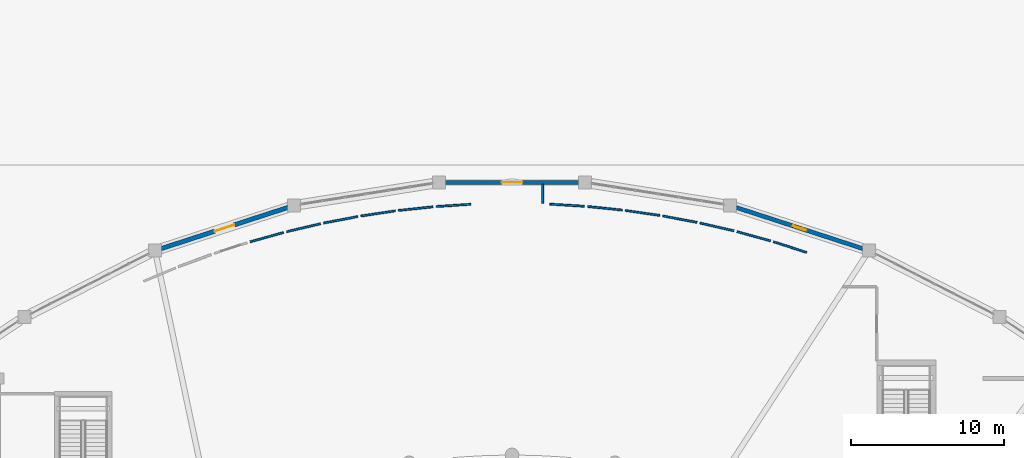
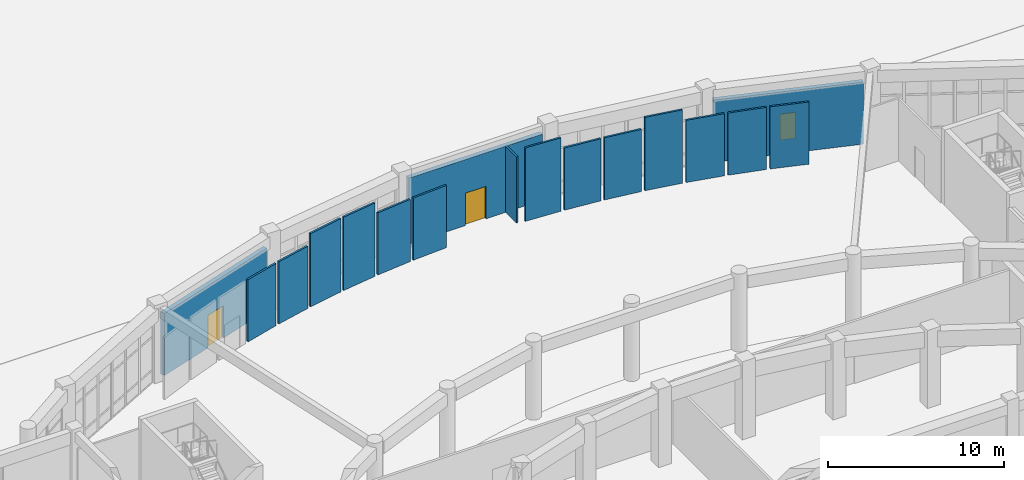
# One storey, part 52 of 70: 17 walls, 2 doors, 1 window, 3 openings.
"""IFC4 building model written with IfcOpenShell, lengths in metres."""

from ifc_helpers import new_model, si_unit, direction, frame, frame_2d, origin, place, context, subcontext, project, spatial, rectangle, extrude, material, layer, layer_set, type_object, element, fill, save


model = new_model("IFC4")

# Units and contexts
model_context = context("Model", 3, precision=1e-05, world=origin(), true_north=direction((0.0, 1.0)))
body_context = subcontext(model_context, "Body", "Model", "MODEL_VIEW")
ifc_project = project(units=[si_unit("LENGTHUNIT", "METRE"), si_unit("AREAUNIT", "SQUARE_METRE"), si_unit("VOLUMEUNIT", "CUBIC_METRE"), si_unit("PLANEANGLEUNIT", "RADIAN"), si_unit("MASSUNIT", "GRAM", prefix="KILO")], contexts=[model_context])

# Site, building, storey
site_placement = place(None, origin())
site = spatial("IfcSite", under=ifc_project, at=site_placement, CompositionType="ELEMENT")
building_placement = place(site_placement, origin())
building = spatial("IfcBuilding", under=site, at=building_placement, Name="Miralva Faculty of Natural Sciences", CompositionType="ELEMENT")
storey_placement = place(building_placement, origin())
storey = spatial("IfcBuildingStorey", under=building, at=storey_placement, Name="L00", CompositionType="ELEMENT", Elevation=0.0)

# Walls
ifc_material_1 = material(Name="Gypsum plasterboard")
ifc_layer_1 = layer(ifc_material_1, 0.125, Name="WL-PT05")
ifc_layer_set_1 = layer_set([ifc_layer_1], Name="Gypsum plasterboard")
wall_type_1 = type_object("IfcWallType", Name="WL-PT05", PredefinedType="PARTITIONING", material=ifc_layer_set_1)
for number, where, z_axis, x_axis, name in (
    (1, (72.8857421875, 35.931884765625, 0.0), (0.0, 0.0, 1.0), (0.962961782051, 0.269637917046, 0.0), "Interior partition PT-05 L00-96"),
    (2, (75.273681640625, 36.595947265625, 0.0), (0.0, 0.0, 1.0), (0.973395972519, 0.22912939725, 0.0), "Interior partition PT-05 L00-97"),
):
    element("IfcWall", number, at=place(storey_placement, frame(where, z_axis=z_axis, x_axis=x_axis)), inside=storey, type_object=wall_type_1, Name=name, PredefinedType="PARTITIONING", context=body_context, shape_type="SweptSolid", body=[
        extrude(rectangle(XDim=2.266357421875, YDim=0.125, at=frame_2d((1.13330078125, 0.0))), origin(), (0.0, 0.0, 1.0), 4.304931640625),
    ])
for number, where, z_axis, x_axis, name in (
    (3, (77.6875, 37.15966796875, 0.0), (0.0, 0.0, 1.0), (0.982087808033, 0.188423823634, 0.0), "Interior partition PT-05 L00-98"),
    (4, (80.122314453125, 37.622314453125, 0.0), (0.0, 0.0, 1.0), (0.989080490429, 0.147376332742, 0.0), "Interior partition PT-05 L00-99"),
):
    element("IfcWall", number, at=place(storey_placement, frame(where, z_axis=z_axis, x_axis=x_axis)), inside=storey, type_object=wall_type_1, Name=name, PredefinedType="PARTITIONING", context=body_context, shape_type="SweptSolid", body=[
        extrude(rectangle(XDim=2.26611328125, YDim=0.125, at=frame_2d((1.133056640625, 0.0))), origin(), (0.0, 0.0, 1.0), 5.080078125),
    ])
wall_1_placement = place(storey_placement, frame((82.57421875, 37.983154296875, 0.0), z_axis=(0.0, 0.0, 1.0), x_axis=(0.994366469197, 0.105996815696, 0.0)))
element("IfcWall", 5, at=wall_1_placement, inside=storey, type_object=wall_type_1, Name="Interior partition PT-05 L00-100", PredefinedType="PARTITIONING", context=body_context, shape_type="SweptSolid", body=[
    extrude(rectangle(XDim=2.266357421875, YDim=0.125, at=frame_2d((1.13330078125, 0.0))), origin(), (0.0, 0.0, 1.0), 4.304931640625),
])
wall_2_placement = place(storey_placement, frame((85.039306640625, 38.2412109375, 0.0), z_axis=(0.0, 0.0, 1.0), x_axis=(0.997915696942, 0.064531091706, 0.0)))
element("IfcWall", 6, at=wall_2_placement, inside=storey, type_object=wall_type_1, Name="Interior partition PT-05 L00-101", PredefinedType="PARTITIONING", context=body_context, shape_type="SweptSolid", body=[
    extrude(rectangle(XDim=2.26611328125, YDim=0.125, at=frame_2d((1.133056640625, 0.0))), origin(), (0.0, 0.0, 1.0), 4.304931640625),
])
wall_3_placement = place(storey_placement, frame((92.46875, 38.3974609375, 0.0), z_axis=(0.0, 0.0, 1.0), x_axis=(0.998159220571, -0.060647921561, 0.0)))
element("IfcWall", 7, at=wall_3_placement, inside=storey, type_object=wall_type_1, Name="Interior partition PT-05 L00-102", PredefinedType="PARTITIONING", context=body_context, shape_type="SweptSolid", body=[
    extrude(rectangle(XDim=2.266357421875, YDim=0.125, at=frame_2d((1.13330078125, 0.0))), origin(), (0.0, 0.0, 1.0), 5.080078125),
])
wall_4_placement = place(storey_placement, frame((94.942138671875, 38.242919921875, 0.0), z_axis=(0.0, 0.0, 1.0), x_axis=(0.994772464136, -0.102116328749, 0.0)))
element("IfcWall", 8, at=wall_4_placement, inside=storey, type_object=wall_type_1, Name="Interior partition PT-05 L00-103", PredefinedType="PARTITIONING", context=body_context, shape_type="SweptSolid", body=[
    extrude(rectangle(XDim=2.2666015625, YDim=0.125, at=frame_2d((1.13330078125, 0.0))), origin(), (0.0, 0.0, 1.0), 4.304931640625),
])
wall_5_placement = place(storey_placement, frame((97.40771484375, 37.9853515625, 0.0), z_axis=(0.0, 0.0, 1.0), x_axis=(0.989649958014, -0.14350247595, 0.0)))
element("IfcWall", 9, at=wall_5_placement, inside=storey, type_object=wall_type_1, Name="Interior partition PT-05 L00-104", PredefinedType="PARTITIONING", context=body_context, shape_type="SweptSolid", body=[
    extrude(rectangle(XDim=2.26611328125, YDim=0.125, at=frame_2d((1.133056640625, 0.0))), origin(), (0.0, 0.0, 1.0), 4.304931640625),
])
wall_6_placement = place(storey_placement, frame((99.859619140625, 37.62548828125, 0.0), z_axis=(0.0, 0.0, 1.0), x_axis=(0.982805045735, -0.184646262018, 0.0)))
element("IfcWall", 10, at=wall_6_placement, inside=storey, type_object=wall_type_1, Name="Interior partition PT-05 L00-105", PredefinedType="PARTITIONING", context=body_context, shape_type="SweptSolid", body=[
    extrude(rectangle(XDim=2.266357421875, YDim=0.125, at=frame_2d((1.13330078125, 0.0))), origin(), (0.0, 0.0, 1.0), 5.080078125),
])
wall_7_placement = place(storey_placement, frame((102.294921875, 37.163330078125, 0.0), z_axis=(0.0, 0.0, 1.0), x_axis=(0.974269394544, -0.225386660775, 0.0)))
element("IfcWall", 11, at=wall_7_placement, inside=storey, type_object=wall_type_1, Name="Interior partition PT-05 L00-106", PredefinedType="PARTITIONING", context=body_context, shape_type="SweptSolid", body=[
    extrude(rectangle(XDim=2.26611328125, YDim=0.125, at=frame_2d((1.133056640625, 0.0))), origin(), (0.0, 0.0, 1.0), 4.304931640625),
])
for number, where, z_axis, x_axis, name in (
    (12, (104.708251953125, 36.600341796875, 0.0), (0.0, 0.0, 1.0), (0.96403926476, -0.265759846481, 0.0), "Interior partition PT-05 L00-107"),
    (13, (107.0966796875, 35.937255859375, 0.0), (0.0, 0.0, 1.0), (0.952084587877, -0.305834820659, 0.0), "Interior partition PT-05 L00-108"),
):
    element("IfcWall", number, at=place(storey_placement, frame(where, z_axis=z_axis, x_axis=x_axis)), inside=storey, type_object=wall_type_1, Name=name, PredefinedType="PARTITIONING", context=body_context, shape_type="SweptSolid", body=[
        extrude(rectangle(XDim=2.266357421875, YDim=0.125, at=frame_2d((1.13330078125, 0.0))), origin(), (0.0, 0.0, 1.0), 4.304931640625),
    ])
wall_8_placement = place(storey_placement, frame((92.0, 38.440673828125, 0.0), z_axis=(0.0, 0.0, 1.0), x_axis=(0.0, 1.0, 0.0)))
element("IfcWall", 14, at=wall_8_placement, inside=storey, type_object=wall_type_1, Name="Interior partition PT-05 L00-114", PredefinedType="PARTITIONING", context=body_context, shape_type="SweptSolid", body=[
    extrude(rectangle(XDim=1.270263671875, YDim=0.125, at=frame_2d((0.63525390625, 0.0))), origin(), (0.0, 0.0, 1.0), 4.574951171875),
])

# Wall, opening, door
ifc_material_2 = material(Name="Precast concrete C40/50", Category="concrete")
ifc_layer_2 = layer(ifc_material_2, 0.2900390625, Name="WL-WT03")
ifc_layer_set_2 = layer_set([ifc_layer_2], Name="Precast concrete C40/50")
wall_type_2 = type_object("IfcWallType", Name="WL-WT03", PredefinedType="SOLIDWALL", material=ifc_layer_set_2)
wall_9_placement = place(storey_placement, frame((67.070068359375, 35.4912109375, 0.0), z_axis=(0.0, 0.0, 1.0), x_axis=(0.951060249583, 0.30900550426, 0.0)))
wall_9 = element("IfcWall", 15, at=wall_9_placement, inside=storey, type_object=wall_type_2, Name="Exterior wall L00-17", PredefinedType="SOLIDWALL", context=body_context, shape_type="SweptSolid", body=[
    extrude(rectangle(XDim=8.701904296875, YDim=0.2900390625, at=frame_2d((4.35107421875, 0.0))), origin(), (0.0, 0.0, 1.0), 4.304931640625),
])
opening_1_placement = place(wall_9_placement, frame((3.676025390625, 0.0, 0.0)))
opening_1 = element("IfcOpeningElement", 16, at=opening_1_placement, cuts=wall_9, Name="Opening D-06", PredefinedType="OPENING", context=body_context, shape_type="SweptSolid", body=[
    extrude(rectangle(XDim=1.35009765625, YDim=2.25, at=frame_2d((0.675048828125, 1.125))), frame((0.0, 0.155029296875, 0.0), z_axis=(0.0, -1.0, 0.0), x_axis=(1.0, 0.0, 0.0)), (0.0, 0.0, 1.0), 0.31005859375),
])
ifc_material_3 = material(Name="Anodised aluminium", Category="aluminium")
door_type = type_object("IfcDoorType", Name="DR-DE06", OperationType="NOTDEFINED", PredefinedType="DOOR", material=ifc_material_3)
door_1_placement = place(opening_1_placement, origin())
door_1 = element("IfcDoor", 17, at=door_1_placement, inside=storey, type_object=door_type, Name="Exterior pedestrian exit door D-06 L00-1", OperationType="SINGLE_SWING_RIGHT", OverallHeight=2.25, OverallWidth=1.35009765625, PredefinedType="DOOR", context=body_context, shape_type="SweptSolid", body=[
    extrude(rectangle(XDim=1.35009765625, YDim=2.25, at=frame_2d((0.675048828125, 1.125))), frame((0.0, 0.02490234375, 0.0), z_axis=(0.0, -1.0, 0.0), x_axis=(1.0, 0.0, 0.0)), (0.0, 0.0, 1.0), 0.050048828125),
])
fill(opening_1, door_1)

wall_10_placement = place(storey_placement, frame((85.62890625, 39.81201171875, 0.0), z_axis=(0.0, 0.0, 1.0), x_axis=(1.0, 0.0, 0.0)))
wall_10 = element("IfcWall", 18, at=wall_10_placement, inside=storey, type_object=wall_type_2, Name="Exterior wall L00-18", PredefinedType="SOLIDWALL", context=body_context, shape_type="SweptSolid", body=[
    extrude(rectangle(XDim=8.7421875, YDim=0.2900390625, at=frame_2d((4.37109375, 0.0))), origin(), (0.0, 0.0, 1.0), 4.574951171875),
])
opening_2_placement = place(wall_10_placement, frame((3.696044921875, 0.0, 0.0)))
opening_2 = element("IfcOpeningElement", 19, at=opening_2_placement, cuts=wall_10, Name="Opening D-06", PredefinedType="OPENING", context=body_context, shape_type="SweptSolid", body=[
    extrude(rectangle(XDim=1.35009765625, YDim=2.25, at=frame_2d((0.675048828125, 1.125))), frame((0.0, 0.155029296875, 0.0), z_axis=(0.0, -1.0, 0.0), x_axis=(1.0, 0.0, 0.0)), (0.0, 0.0, 1.0), 0.31005859375),
])
door_2_placement = place(opening_2_placement, origin())
door_2 = element("IfcDoor", 20, at=door_2_placement, inside=storey, type_object=door_type, Name="Exterior pedestrian exit door D-06 L00-2", OperationType="SINGLE_SWING_LEFT", OverallHeight=2.25, OverallWidth=1.35009765625, PredefinedType="DOOR", context=body_context, shape_type="SweptSolid", body=[
    extrude(rectangle(XDim=1.35009765625, YDim=2.25, at=frame_2d((0.675048828125, 1.125))), frame((0.0, 0.02490234375, 0.0), z_axis=(0.0, -1.0, 0.0), x_axis=(1.0, 0.0, 0.0)), (0.0, 0.0, 1.0), 0.050048828125),
])
fill(opening_2, door_2)

# Wall, opening, window
ifc_material_4 = material(Name="Volcanic tuff architectural stone", Category="masonry")
ifc_layer_3 = layer(ifc_material_4, 0.27001953125, Name="WL-WT04")
ifc_layer_set_3 = layer_set([ifc_layer_3], Name="Volcanic tuff architectural stone")
wall_type_3 = type_object("IfcWallType", Name="WL-WT04", PredefinedType="SOLIDWALL", material=ifc_layer_set_3)
wall_11_placement = place(storey_placement, frame((104.65380859375, 38.18017578125, 0.0), z_axis=(0.0, 0.0, 1.0), x_axis=(0.951060249583, -0.30900550426, 0.0)))
wall_11 = element("IfcWall", 21, at=wall_11_placement, inside=storey, type_object=wall_type_3, Name="Exterior wall L00-19", PredefinedType="SOLIDWALL", context=body_context, shape_type="SweptSolid", body=[
    extrude(rectangle(XDim=8.701904296875, YDim=0.27001953125, at=frame_2d((4.35107421875, 0.0))), origin(), (0.0, 0.0, 1.0), 4.304931640625),
])
opening_3_placement = place(wall_11_placement, frame((3.90087890625, 0.0, 0.89990234375)))
opening_3 = element("IfcOpeningElement", 22, at=opening_3_placement, cuts=wall_11, Name="Opening W-01", PredefinedType="OPENING", context=body_context, shape_type="SweptSolid", body=[
    extrude(rectangle(XDim=0.89990234375, YDim=1.800048828125, at=frame_2d((0.449951171875, 0.89990234375))), frame((0.0, 0.14501953125, 0.0), z_axis=(0.0, -1.0, 0.0), x_axis=(1.0, 0.0, 0.0)), (0.0, 0.0, 1.0), 0.2900390625),
])
ifc_material_5 = material(Name="Laminated solar-control glass", Category="glass")
window_type = type_object("IfcWindowType", Name="WN-W01", PartitioningType="SINGLE_PANEL", PredefinedType="WINDOW", material=ifc_material_5)
window_placement = place(opening_3_placement, origin())
window = element("IfcWindow", 23, at=window_placement, inside=storey, type_object=window_type, Name="Window W-01 L00-1", OverallHeight=1.800048828125, OverallWidth=0.89990234375, PartitioningType="SINGLE_PANEL", PredefinedType="WINDOW", context=body_context, shape_type="SweptSolid", body=[
    extrude(rectangle(XDim=0.89990234375, YDim=1.800048828125, at=frame_2d((0.449951171875, 0.89990234375))), frame((0.0, 0.030029296875, 0.0), z_axis=(0.0, -1.0, 0.0), x_axis=(1.0, 0.0, 0.0)), (0.0, 0.0, 1.0), 0.06005859375),
])
fill(opening_3, window)

save(model, "model.ifc")
